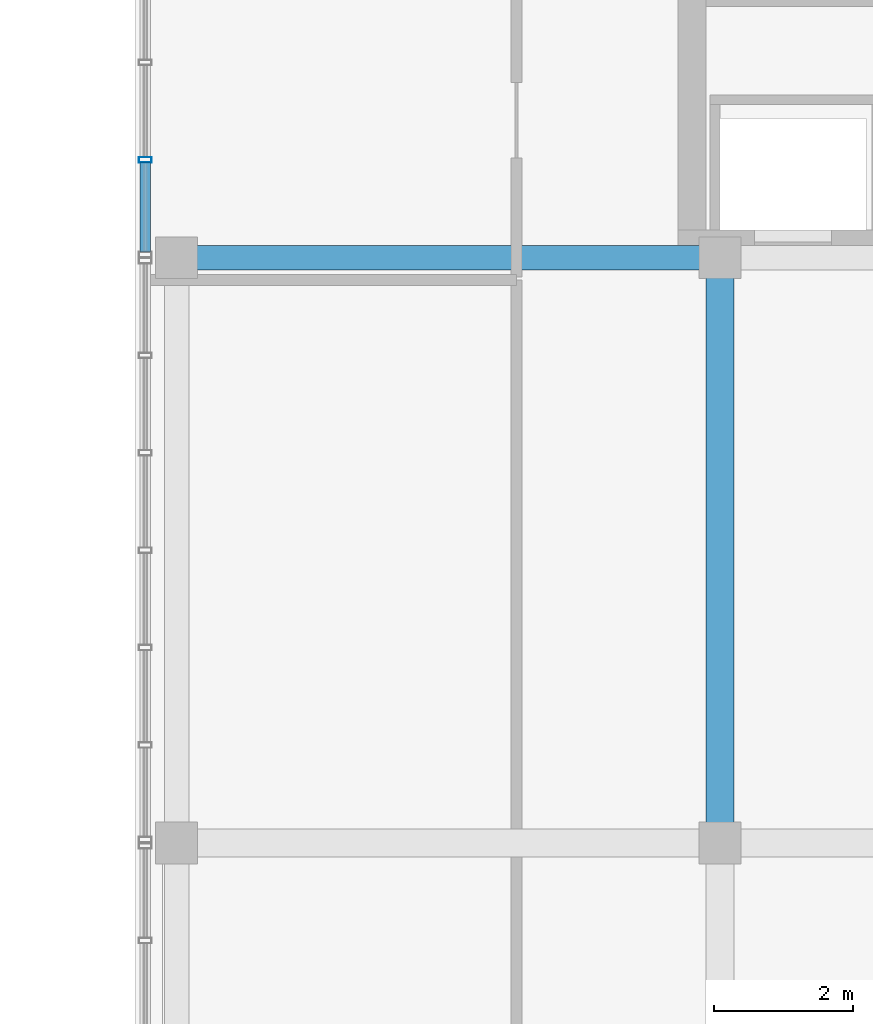
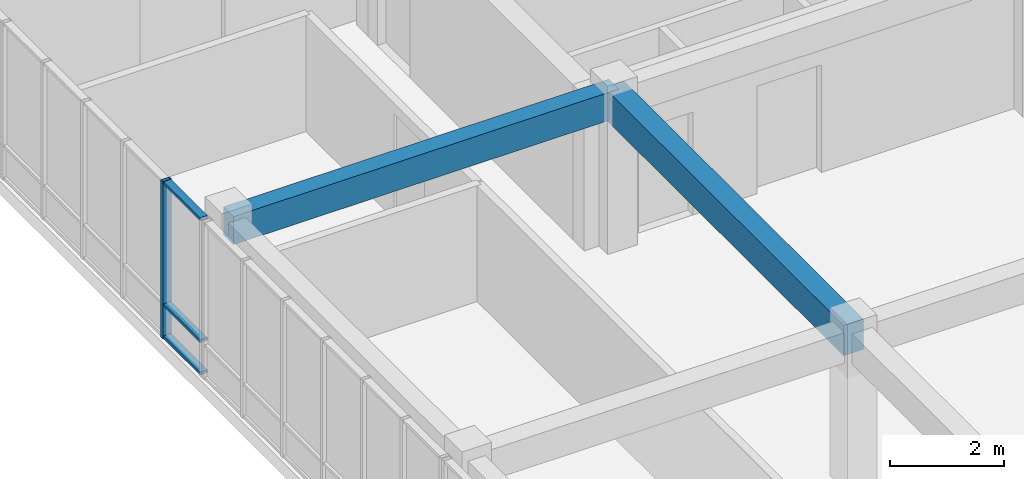
# One storey, part 96 of 144: 4 members, 2 beams, 1 element without a shape of its own.
"""IFC4 building model written with IfcOpenShell, lengths in metres."""

import ifcopenshell
import ifcopenshell.guid

model = None  # the IFC model being written
_history = None  # IfcOwnerHistory: only IFC2X3 demands one
_inside = {}  # id of a spatial element -> (the spatial element, [elements in it])
_under = {}  # id of a project, library or spatial element -> (it, [spatial elements below it])
_declared = {}  # id of a project -> (the project, [libraries it declares])
_typed = {}  # id of a type object -> (the type object, [elements of that type])
_made_of = {}  # id of a material, layer set ... -> (it, [elements and type objects made of it])


def new_model(schema):
    """Start an empty IFC model of exactly this schema.

    Asked for "IFC4X3", IfcOpenShell would pick the latest addendum, in which some entities
    have other attributes; the version numbers below select the first issue.
    IFC2X3 requires an IfcOwnerHistory on every rooted entity: one is made here for all.
    """
    global model, _history
    if schema == "IFC4X3":
        model = ifcopenshell.file(schema_version=(4, 3, 0, 0))
    else:
        model = ifcopenshell.file(schema=schema)
    _inside.clear()
    _under.clear()
    _declared.clear()
    _typed.clear()
    _made_of.clear()
    _history = None
    if model.schema == "IFC2X3":
        org = make("IfcOrganization", Name="unknown")
        user = make(
            "IfcPersonAndOrganization",
            ThePerson=make("IfcPerson", FamilyName="unknown"),
            TheOrganization=org,
        )
        app = make(
            "IfcApplication",
            ApplicationDeveloper=org,
            Version="unknown",
            ApplicationFullName="unknown",
            ApplicationIdentifier="unknown",
        )
        _history = make(
            "IfcOwnerHistory",
            OwningUser=user,
            OwningApplication=app,
            ChangeAction="ADDED",
            CreationDate=0,
        )
    return model


def make(cls, **values):
    """One entity of the class cls with the attributes given. An attribute that is None is left unset."""
    return model.create_entity(
        cls, **{name: value for name, value in values.items() if value is not None}
    )


def rooted(cls, **values):
    """An entity with a GlobalId (a new one), such as an element, a storey or a relation."""
    return make(cls, GlobalId=ifcopenshell.guid.new(), OwnerHistory=_history, **values)


def si_unit(unit_type, name, prefix=None):
    """IfcSIUnit, for example si_unit("LENGTHUNIT", "METRE", prefix="MILLI")."""
    return make("IfcSIUnit", UnitType=unit_type, Prefix=prefix, Name=name)


def assignment(units):
    """IfcUnitAssignment: the units of a project."""
    return None if units is None else make("IfcUnitAssignment", Units=units)


def point(xyz):
    """IfcCartesianPoint."""
    return None if xyz is None else make("IfcCartesianPoint", Coordinates=xyz)


def direction(xyz):
    """IfcDirection."""
    return None if xyz is None else make("IfcDirection", DirectionRatios=xyz)


def frame(location, z_axis=None, x_axis=None):
    """IfcAxis2Placement3D, a coordinate frame: its origin and axes. An axis left out is left unset."""
    return make(
        "IfcAxis2Placement3D",
        Location=point(location),
        Axis=direction(z_axis),
        RefDirection=direction(x_axis),
    )


def frame_2d(location, x_axis=None):
    """IfcAxis2Placement2D, a coordinate frame in the plane: its origin and x axis."""
    return make(
        "IfcAxis2Placement2D", Location=point(location), RefDirection=direction(x_axis)
    )


def origin():
    """The frame at (0, 0, 0) with its axes left unset."""
    return frame((0.0, 0.0, 0.0))


def origin_2d():
    """The frame at (0, 0) in the plane with its x axis left unset."""
    return frame_2d((0.0, 0.0))


def place(relative_to, where):
    """IfcLocalPlacement: puts the frame where relative to a parent placement (None: the world)."""
    return make(
        "IfcLocalPlacement", PlacementRelTo=relative_to, RelativePlacement=where
    )


def context(
    kind, dimensions, precision=None, world=None, true_north=None, identifier=None
):
    """IfcGeometricRepresentationContext, for example the 3D "Model" context."""
    return make(
        "IfcGeometricRepresentationContext",
        ContextIdentifier=identifier,
        ContextType=kind,
        CoordinateSpaceDimension=dimensions,
        Precision=precision,
        WorldCoordinateSystem=world,
        TrueNorth=true_north,
    )


def subcontext(parent, identifier, kind, view, scale=None):
    """IfcGeometricRepresentationSubContext, for example "Body" below "Model"."""
    return make(
        "IfcGeometricRepresentationSubContext",
        ContextIdentifier=identifier,
        ContextType=kind,
        ParentContext=parent,
        TargetScale=scale,
        TargetView=view,
    )


def project(units=None, contexts=None):
    """IfcProject with its units and contexts."""
    return rooted(
        "IfcProject",
        Name="project",
        RepresentationContexts=contexts,
        UnitsInContext=assignment(units),
    )


def spatial(cls, under=None, at=None, **own):
    """A site, building, storey or space (cls), placed at a placement, below another one or the project."""
    s = rooted(cls, ObjectPlacement=at, **own)
    if under is not None:
        _under.setdefault(under.id(), (under, []))[1].append(s)
    return s


def profile(cls, at=None, kind="AREA", **sizes):
    """A parametric profile (cls). Its sizes go by their IFC names, for example OverallWidth=200.0."""
    return make(cls, ProfileType=kind, Position=at, **sizes)


def rectangle(**sizes):
    """IfcRectangleProfileDef."""
    return profile("IfcRectangleProfileDef", **sizes)


def hollow_rectangle(**sizes):
    """IfcRectangleHollowProfileDef."""
    return profile("IfcRectangleHollowProfileDef", **sizes)


def extrude(swept, where, along, depth):
    """IfcExtrudedAreaSolid: the profile swept, set in the frame where, extruded along a direction by depth."""
    return make(
        "IfcExtrudedAreaSolid",
        SweptArea=swept,
        Position=where,
        ExtrudedDirection=direction(along),
        Depth=depth,
    )


def shape(context_of_items, identifier, shape_type, items):
    """IfcShapeRepresentation: the items that make up one representation, for example the "Body"."""
    return make(
        "IfcShapeRepresentation",
        ContextOfItems=context_of_items,
        RepresentationIdentifier=identifier,
        RepresentationType=shape_type,
        Items=items,
    )


def material(Name=None, Category=None):
    """IfcMaterial."""
    return make("IfcMaterial", Name=Name, Category=Category)


def layer(
    of_material, thickness, ventilated=None, Name=None, Category=None, Priority=None
):
    """IfcMaterialLayer: one layer of a wall or slab, of a material (None: an air gap)."""
    return make(
        "IfcMaterialLayer",
        Material=of_material,
        LayerThickness=thickness,
        IsVentilated=ventilated,
        Name=Name,
        Category=Category,
        Priority=Priority,
    )


def layer_set(layers, Name=None):
    """IfcMaterialLayerSet."""
    return make("IfcMaterialLayerSet", MaterialLayers=layers, LayerSetName=Name)


def material_profile(
    of_material, cross_section, Name=None, Category=None, Priority=None
):
    """IfcMaterialProfile: a cross section and its material."""
    return make(
        "IfcMaterialProfile",
        Name=Name,
        Material=of_material,
        Profile=cross_section,
        Priority=Priority,
        Category=Category,
    )


def profile_set(profiles, Name=None, composite=None):
    """IfcMaterialProfileSet."""
    return make(
        "IfcMaterialProfileSet",
        Name=Name,
        MaterialProfiles=profiles,
        CompositeProfile=composite,
    )


def made_of(thing, what):
    """Note that an element or type object is made of a material, layer set ...; save() writes the relation."""
    if what is not None:
        _made_of.setdefault(what.id(), (what, []))[1].append(thing)
    return thing


def type_object(cls, material=None, **own):
    """A type object (cls), such as IfcWallType, which elements share."""
    return made_of(rooted(cls, **own), material)


def element(
    cls,
    number,
    at=None,
    inside=None,
    cuts=None,
    type_object=None,
    material=None,
    context=None,
    identifier="Body",
    shape_type=None,
    held_by="IfcProductDefinitionShape",
    body=None,
    shapes=None,
    **own,
):
    """One element of the class cls, such as IfcWall. Its Tag is "e" and its number.

    at: its placement. inside: the storey or other place that contains it. cuts: it is an
    opening in that element (IfcRelVoidsElement). A single representation is given by context,
    identifier, shape_type and body (its items); several are given by shapes. held_by: the class
    of the entity that holds the representations. save() writes the other relations.
    """
    e = rooted(cls, Tag="e%d" % number, ObjectPlacement=at, **own)
    if body is not None:
        shapes = [shape(context, identifier, shape_type, body)]
    if shapes is not None:
        e.Representation = make(held_by, Representations=shapes)
    if inside is not None:
        _inside.setdefault(inside.id(), (inside, []))[1].append(e)
    if cuts is not None:
        rooted(
            "IfcRelVoidsElement", RelatingBuildingElement=cuts, RelatedOpeningElement=e
        )
    if type_object is not None:
        _typed.setdefault(type_object.id(), (type_object, []))[1].append(e)
    return made_of(e, material)


def aggregate(whole, parts):
    """IfcRelAggregates: a whole, such as a stair, and the parts it consists of."""
    return rooted("IfcRelAggregates", RelatingObject=whole, RelatedObjects=parts)


def save(model, path):
    """Write the relations noted so far, then the file.

    IfcRelAggregates (storeys below a building ...), IfcRelContainedInSpatialStructure (elements
    in a storey), IfcRelDefinesByType, IfcRelAssociatesMaterial and IfcRelDeclares: one each for
    every whole, place, type object, material and project.
    """
    for whole, parts in _under.values():
        aggregate(whole, parts)
    for where, things in _inside.values():
        rooted(
            "IfcRelContainedInSpatialStructure",
            RelatedElements=things,
            RelatingStructure=where,
        )
    for kind, things in _typed.values():
        rooted("IfcRelDefinesByType", RelatedObjects=things, RelatingType=kind)
    for what, things in _made_of.values():
        rooted("IfcRelAssociatesMaterial", RelatedObjects=things, RelatingMaterial=what)
    for by, libraries in _declared.values():
        rooted("IfcRelDeclares", RelatingContext=by, RelatedDefinitions=libraries)
    model.write(path)


model = new_model("IFC4")

# Units and contexts
model_context = context("Model", 3, precision=1e-05, world=origin(), true_north=direction((0.0, 1.0)))
body_context = subcontext(model_context, "Body", "Model", "MODEL_VIEW")
ifc_project = project(units=[si_unit("LENGTHUNIT", "METRE"), si_unit("AREAUNIT", "SQUARE_METRE"), si_unit("VOLUMEUNIT", "CUBIC_METRE"), si_unit("PLANEANGLEUNIT", "RADIAN"), si_unit("MASSUNIT", "GRAM", prefix="KILO")], contexts=[model_context])

# Site, building, storey
site_placement = place(None, origin())
site = spatial("IfcSite", under=ifc_project, at=site_placement, CompositionType="ELEMENT")
building_placement = place(site_placement, origin())
building = spatial("IfcBuilding", under=site, at=building_placement, Name="Zayran Congress Hotel", CompositionType="ELEMENT")
storey_placement = place(building_placement, frame((0.0, 0.0, 19.199951171875)))
storey = spatial("IfcBuildingStorey", under=building, at=storey_placement, Name="L04", CompositionType="ELEMENT", Elevation=19.199951171875)

# Beams
ifc_material_1 = material(Name="Concrete C40/50", Category="concrete")
ifc_material_profile_1 = material_profile(ifc_material_1, rectangle(XDim=0.39990234375, YDim=0.64990234375, at=origin_2d()), Name="RC 400x650")
ifc_profile_set_1 = profile_set([ifc_material_profile_1], Name="Concrete C40/50")
beam_type_1 = type_object("IfcBeamType", Name="TP-BM-03", PredefinedType="BEAM", material=ifc_profile_set_1)
beam_1_placement = place(storey_placement, frame((117.60009765625, 76.0, 3.03515625), z_axis=(0.0, 1.0, 0.0), x_axis=(-1.0, 0.0, 0.0)))
element("IfcBeam", 1, at=beam_1_placement, inside=storey, type_object=beam_type_1, Name="BM-V4-L04-1577", PredefinedType="BEAM", context=body_context, shape_type="SweptSolid", body=[
    extrude(rectangle(XDim=0.39990234375, YDim=0.64990234375, at=origin_2d()), origin(), (0.0, 0.0, 1.0), 8.39990234375),
])
ifc_material_profile_2 = material_profile(ifc_material_1, rectangle(XDim=0.35009765625, YDim=0.60009765625, at=origin_2d()), Name="RC 350x600")
ifc_profile_set_2 = profile_set([ifc_material_profile_2], Name="Concrete C40/50")
beam_type_2 = type_object("IfcBeamType", Name="TP-SP-01", PredefinedType="SPANDREL", material=ifc_profile_set_2)
beam_2_placement = place(storey_placement, frame((109.800048828125, 84.39990234375, 3.06005859375), z_axis=(1.0, 0.0, 0.0), x_axis=(0.0, 1.0, 0.0)))
element("IfcBeam", 2, at=beam_2_placement, inside=storey, type_object=beam_type_2, Name="BM-V4-L04-1569", PredefinedType="SPANDREL", context=body_context, shape_type="SweptSolid", body=[
    extrude(rectangle(XDim=0.35009765625, YDim=0.60009765625, at=origin_2d()), origin(), (0.0, 0.0, 1.0), 7.800048828125),
])

# Curtain wall, members
ifc_material_2 = material(Name="Anodised aluminium and low-E insulated glass", Category="aluminium")
ifc_layer = layer(ifc_material_2, 0.179931640625)
ifc_layer_set = layer_set([ifc_layer], Name="Anodised aluminium and low-E insulated glass")
curtain_wall_type = type_object("IfcCurtainWallType", Name="CW-V4W-L04-CW-52-8395-3360", PredefinedType="USERDEFINED", material=ifc_layer_set)
curtain_wall_placement = place(storey_placement, origin())
curtain_wall = element("IfcCurtainWall", 3, at=curtain_wall_placement, inside=storey, type_object=curtain_wall_type, Name="CW-V4W-L04-4", ObjectType="CURTAIN WALL", PredefinedType="USERDEFINED")
ifc_material_3 = material(Name="Anodised aluminium framing", Category="aluminium")
ifc_material_profile_3 = material_profile(ifc_material_3, hollow_rectangle(XDim=0.080078125, YDim=0.179931640625, WallThickness=0.0048828125, at=origin_2d()), Name="RHS 180x80x5")
ifc_profile_set_3 = profile_set([ifc_material_profile_3], Name="Anodised aluminium framing")
member_type_1 = type_object("IfcMemberType", Name="TP-CWM-01", PredefinedType="MULLION", material=ifc_profile_set_3)
member_1_placement = place(storey_placement, frame((109.35009765625, 85.80419921875, 0.0), z_axis=(0.0, 0.0, 1.0), x_axis=(0.0, 1.0, 0.0)))
member_1 = element("IfcMember", 4, at=member_1_placement, type_object=member_type_1, Name="CW-V4W-L04-4-M05", PredefinedType="MULLION", context=body_context, shape_type="SweptSolid", body=[
    extrude(hollow_rectangle(XDim=0.080078125, YDim=0.179931640625, WallThickness=0.0048828125, at=origin_2d()), origin(), (0.0, 0.0, 1.0), 3.360107421875),
])
ifc_material_profile_4 = material_profile(ifc_material_3, hollow_rectangle(XDim=0.06005859375, YDim=0.14990234375, WallThickness=0.00390625, at=origin_2d()), Name="RHS 150x60x4")
ifc_profile_set_4 = profile_set([ifc_material_profile_4], Name="Anodised aluminium framing")
member_type_2 = type_object("IfcMemberType", Name="TP-CWT-01", PredefinedType="USERDEFINED", material=ifc_profile_set_4)
member_2_placement = place(storey_placement, frame((109.35009765625, 85.76416015625, 0.030029296875), z_axis=(0.0, -1.0, 0.0), x_axis=(0.0, 0.0, 1.0)))
member_2 = element("IfcMember", 5, at=member_2_placement, type_object=member_type_2, Name="CW-V4W-L04-4-T05-0", ObjectType="TRANSOM", PredefinedType="USERDEFINED", context=body_context, shape_type="SweptSolid", body=[
    extrude(hollow_rectangle(XDim=0.06005859375, YDim=0.14990234375, WallThickness=0.00390625, at=origin_2d()), origin(), (0.0, 0.0, 1.0), 1.279052734375),
])
member_3_placement = place(storey_placement, frame((109.35009765625, 85.76416015625, 0.719970703125), z_axis=(0.0, -1.0, 0.0), x_axis=(0.0, 0.0, 1.0)))
member_3 = element("IfcMember", 6, at=member_3_placement, type_object=member_type_2, Name="CW-V4W-L04-4-T05-1", ObjectType="TRANSOM", PredefinedType="USERDEFINED", context=body_context, shape_type="SweptSolid", body=[
    extrude(hollow_rectangle(XDim=0.06005859375, YDim=0.14990234375, WallThickness=0.00390625, at=origin_2d()), origin(), (0.0, 0.0, 1.0), 1.279052734375),
])
member_4_placement = place(storey_placement, frame((109.35009765625, 85.76416015625, 3.330078125), z_axis=(0.0, -1.0, 0.0), x_axis=(0.0, 0.0, 1.0)))
member_4 = element("IfcMember", 7, at=member_4_placement, type_object=member_type_2, Name="CW-V4W-L04-4-T05-2", ObjectType="TRANSOM", PredefinedType="USERDEFINED", context=body_context, shape_type="SweptSolid", body=[
    extrude(hollow_rectangle(XDim=0.06005859375, YDim=0.14990234375, WallThickness=0.00390625, at=origin_2d()), origin(), (0.0, 0.0, 1.0), 1.279052734375),
])
aggregate(curtain_wall, [member_1, member_2, member_3, member_4])

save(model, "model.ifc")
